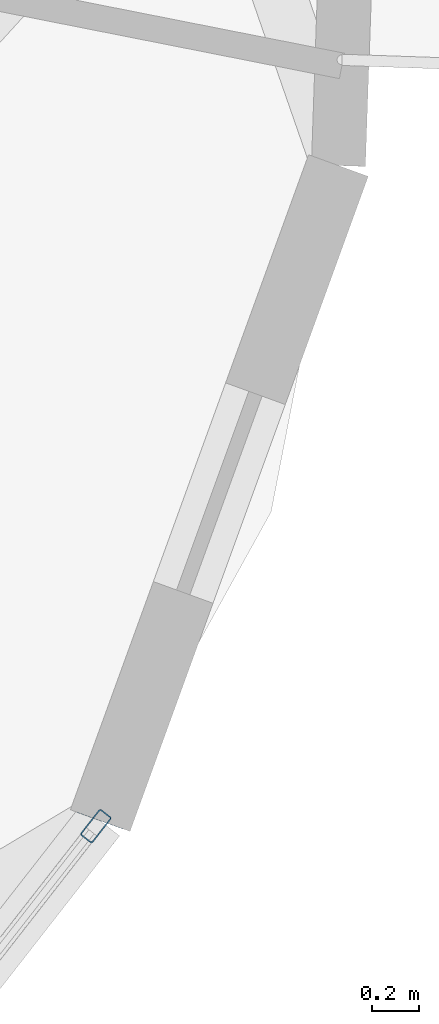
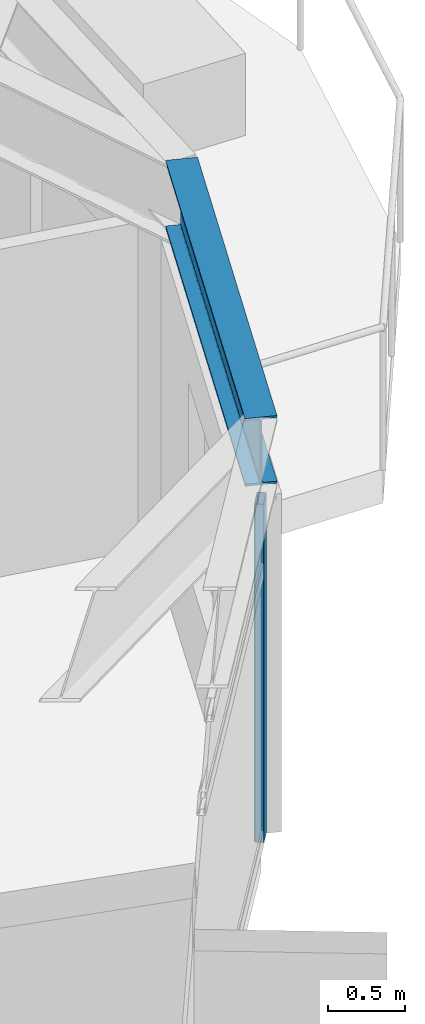
# One storey, part 13 of 30: 1 beam, 1 member, 1 element without a shape of its own.
"""IFC4 building model written with IfcOpenShell, lengths in metres."""

from ifc_helpers import new_model, si_unit, direction, frame, origin, origin_2d, place, context, subcontext, project, spatial, hollow_rectangle, i_section, extrude, material, layer, layer_set, material_profile, profile_set, type_object, element, aggregate, save


model = new_model("IFC4")

# Units and contexts
model_context = context("Model", 3, precision=1e-05, world=origin(), true_north=direction((0.0, 1.0)))
body_context = subcontext(model_context, "Body", "Model", "MODEL_VIEW")
ifc_project = project(units=[si_unit("LENGTHUNIT", "METRE"), si_unit("AREAUNIT", "SQUARE_METRE"), si_unit("VOLUMEUNIT", "CUBIC_METRE"), si_unit("PLANEANGLEUNIT", "RADIAN"), si_unit("MASSUNIT", "GRAM", prefix="KILO")], contexts=[model_context])

# Site, building, storey
site_placement = place(None, origin())
site = spatial("IfcSite", under=ifc_project, at=site_placement, CompositionType="ELEMENT")
building_placement = place(site_placement, origin())
building = spatial("IfcBuilding", under=site, at=building_placement, Name="Soratama Intermodal Tower", CompositionType="ELEMENT")
storey_placement = place(building_placement, frame((0.0, 0.0, 223.0)))
storey = spatial("IfcBuildingStorey", under=building, at=storey_placement, Name="L56", CompositionType="ELEMENT", Elevation=223.0)

# Beam
ifc_material_1 = material(Name="Structural steel ASTM A992 Grade 50", Category="steel")
ifc_material_profile_1 = material_profile(ifc_material_1, i_section(OverallWidth=0.2099609375, OverallDepth=0.537109375, WebThickness=0.010986328125, FlangeThickness=0.017333984375, FilletRadius=0.012939453125, at=origin_2d()), Name="W21X68")
ifc_profile_set_1 = profile_set([ifc_material_profile_1], Name="Structural steel ASTM A992 Grade 50")
beam_type = type_object("IfcBeamType", Name="BM-SPN-W21X68", PredefinedType="SPANDREL", material=ifc_profile_set_1)
beam_placement = place(storey_placement, frame((63.681884765625, 16.62890625, 3.031494140625), z_axis=(0.341835563385, 0.939759781862, 0.0), x_axis=(-0.939759781862, 0.341835563385, 0.0)))
element("IfcBeam", 1, at=beam_placement, inside=storey, type_object=beam_type, Name="BS-L56-CRN08", PredefinedType="SPANDREL", context=body_context, shape_type="SweptSolid", body=[
    extrude(i_section(OverallWidth=0.2099609375, OverallDepth=0.537109375, WebThickness=0.010986328125, FlangeThickness=0.017333984375, FilletRadius=0.012939453125, at=origin_2d()), origin(), (0.0, 0.0, 1.0), 2.966796875),
])

# Curtain wall, member
ifc_material_2 = material(Name="Double-glazed aluminium curtain wall", Category="aluminium")
ifc_layer = layer(ifc_material_2, 0.159912109375)
ifc_layer_set = layer_set([ifc_layer], Name="Double-glazed aluminium curtain wall")
curtain_wall_type = type_object("IfcCurtainWallType", Name="CW-SYS-5", PredefinedType="NOTDEFINED", material=ifc_layer_set)
curtain_wall_placement = place(storey_placement, origin())
curtain_wall = element("IfcCurtainWall", 2, at=curtain_wall_placement, inside=storey, type_object=curtain_wall_type, Name="L56 Faceted Curtain Wall F08", PredefinedType="NOTDEFINED")
ifc_material_3 = material(Name="Anodised aluminium AA 6063-T6", Category="aluminium")
ifc_material_profile_2 = material_profile(ifc_material_3, hollow_rectangle(XDim=0.06494140625, YDim=0.139892578125, WallThickness=0.0048828125, InnerFilletRadius=0.0048828125, OuterFilletRadius=0.010009765625, at=origin_2d()), Name="CWM140X65X5")
ifc_profile_set_2 = profile_set([ifc_material_profile_2], Name="Anodised aluminium AA 6063-T6")
member_type = type_object("IfcMemberType", Name="MT-CWM-5", PredefinedType="MULLION", material=ifc_profile_set_2)
member_placement = place(storey_placement, frame((63.663818359375, 16.605712890625, 0.0), z_axis=(0.0, 0.0, 1.0), x_axis=(-0.788224252464, 0.615388111542, 0.0)))
member = element("IfcMember", 3, at=member_placement, type_object=member_type, Name="CW-5 mullion 3", PredefinedType="MULLION", context=body_context, shape_type="SweptSolid", body=[
    extrude(hollow_rectangle(XDim=0.06494140625, YDim=0.139892578125, WallThickness=0.0048828125, InnerFilletRadius=0.0048828125, OuterFilletRadius=0.010009765625, at=origin_2d()), origin(), (0.0, 0.0, 1.0), 2.678955078125),
])
aggregate(curtain_wall, [member])

save(model, "model.ifc")
